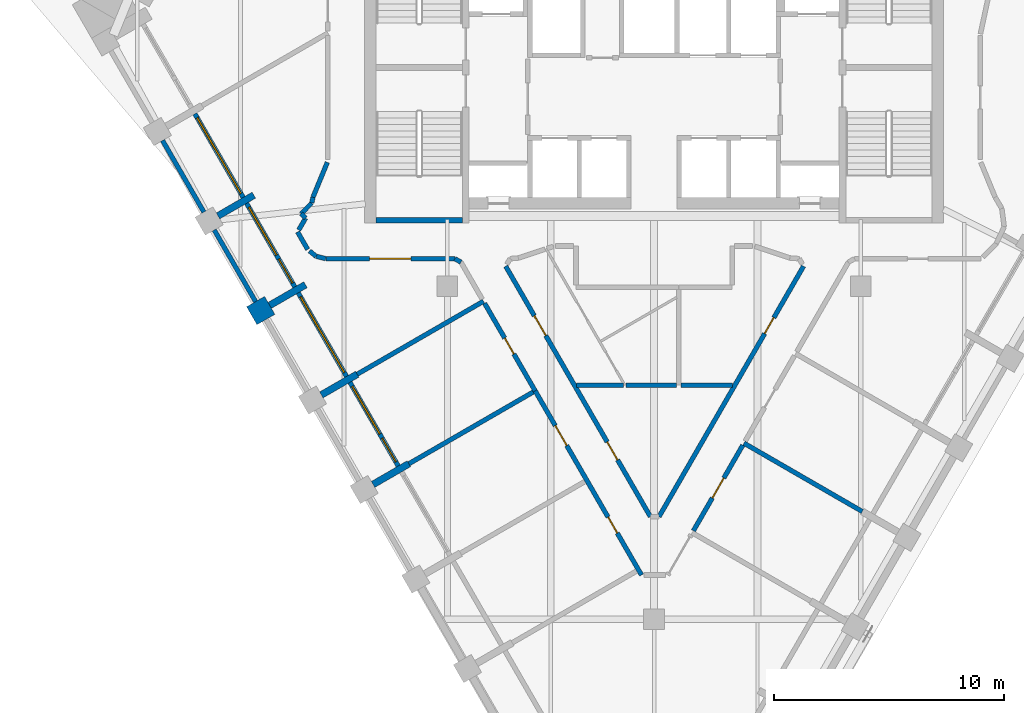
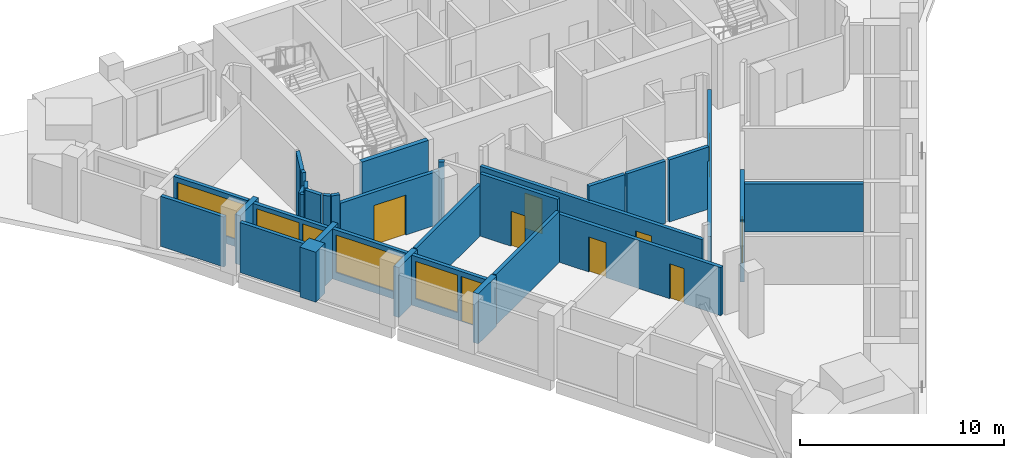
# One storey, part 3 of 9: 33 walls, 10 doors, 4 windows, 14 openings.
"""IFC4 building model written with IfcOpenShell, lengths in metres."""

from ifc_helpers import new_model, si_unit, direction, frame, frame_2d, origin, place, context, subcontext, project, spatial, rectangle, extrude, material, layer, layer_set, type_object, element, fill, save


model = new_model("IFC4")

# Units and contexts
model_context = context("Model", 3, precision=1e-05, world=origin(), true_north=direction((0.0, 1.0)))
body_context = subcontext(model_context, "Body", "Model", "MODEL_VIEW")
ifc_project = project(units=[si_unit("LENGTHUNIT", "METRE"), si_unit("AREAUNIT", "SQUARE_METRE"), si_unit("VOLUMEUNIT", "CUBIC_METRE"), si_unit("PLANEANGLEUNIT", "RADIAN"), si_unit("MASSUNIT", "GRAM", prefix="KILO")], contexts=[model_context])

# Site, building, storey
site_placement = place(None, origin())
site = spatial("IfcSite", under=ifc_project, at=site_placement, CompositionType="ELEMENT")
building_placement = place(site_placement, origin())
building = spatial("IfcBuilding", under=site, at=building_placement, Name="Calabash Gate Tower", CompositionType="ELEMENT")
storey_placement = place(building_placement, frame((0.0, 0.0, 248.199951171875)))
storey = spatial("IfcBuildingStorey", under=building, at=storey_placement, Name="L59", CompositionType="ELEMENT", Elevation=248.199951171875)

# Walls
ifc_material_1 = material(Name="Terracotta brick masonry, exposed face", Category="masonry")
ifc_layer_1 = layer(ifc_material_1, 0.89990234375)
ifc_layer_set_1 = layer_set([ifc_layer_1], Name="Brick end wall 900")
wall_type_1 = type_object("IfcWallType", Name="Brick end wall 900", PredefinedType="SOLIDWALL", material=ifc_layer_set_1)
wall_1_placement = place(storey_placement, frame((-17.512451171875, 1.2158203125, 0.0), z_axis=(0.0, 0.0, 1.0), x_axis=(0.865896406789, 0.500223362819, 0.0)))
element("IfcWall", 1, at=wall_1_placement, inside=storey, type_object=wall_type_1, Name="Brick pier S17 SW0.3", PredefinedType="SOLIDWALL", context=body_context, shape_type="SweptSolid", body=[
    extrude(rectangle(XDim=0.89990234375, YDim=0.89990234375, at=frame_2d((0.449951171875, 0.0))), origin(), (0.0, 0.0, 1.0), 3.0),
])
ifc_material_2 = material(Name="Terracotta brick masonry, exposed face", Category="masonry")
ifc_layer_2 = layer(ifc_material_2, 0.300048828125)
ifc_layer_set_2 = layer_set([ifc_layer_2], Name="Brick loggia cheek wall 300")
wall_type_2 = type_object("IfcWallType", Name="Brick loggia cheek wall 300", PredefinedType="SOLIDWALL", material=ifc_layer_set_2)
wall_2_placement = place(storey_placement, frame((-17.42431640625, 6.462890625, 0.0), z_axis=(0.0, 0.0, 1.0), x_axis=(-0.866047807691, -0.499961193289, 0.0)))
element("IfcWall", 2, at=wall_2_placement, inside=storey, type_object=wall_type_2, Name="Loggia cheek S17 SW0.2", PredefinedType="SOLIDWALL", context=body_context, shape_type="SweptSolid", body=[
    extrude(rectangle(XDim=1.800048828125, YDim=0.300048828125, at=frame_2d((0.89990234375, 0.0))), origin(), (0.0, 0.0, 1.0), 2.9501953125),
])
for number, where, z_axis, x_axis, name in (
    (3, (-15.17431640625, 2.56591796875, 0.0), (0.0, 0.0, 1.0), (-0.866047807691, -0.499961193289, 0.0), "Loggia cheek S17 SW0.3"),
    (4, (-14.483154296875, -2.231201171875, 0.0), (0.0, 0.0, 1.0), (0.866047807691, 0.499961193289, 0.0), "Loggia cheek S17 SW0.4"),
    (5, (-12.233154296875, -6.12841796875, 0.0), (0.0, 0.0, 1.0), (0.865989075817, 0.500062916607, 0.0), "Loggia cheek S17 SW0.5"),
):
    element("IfcWall", number, at=place(storey_placement, frame(where, z_axis=z_axis, x_axis=x_axis)), inside=storey, type_object=wall_type_2, Name=name, PredefinedType="SOLIDWALL", context=body_context, shape_type="SweptSolid", body=[
        extrude(rectangle(XDim=1.800048828125, YDim=0.300048828125, at=frame_2d((0.89990234375, 0.0))), origin(), (0.0, 0.0, 1.0), 3.0),
    ])
ifc_material_3 = material(Name="Concrete C60/75", Category="concrete")
ifc_layer_3 = layer(ifc_material_3, 0.25)
ifc_layer_set_3 = layer_set([ifc_layer_3], Name="Core wall 250 Concrete C60/75")
wall_type_3 = type_object("IfcWallType", Name="Core wall 250 Concrete C60/75", PredefinedType="SHEAR", material=ifc_layer_set_3)
wall_3_placement = place(storey_placement, frame((-12.10009765625, 5.377685546875, 0.0), z_axis=(0.0, 0.0, 1.0), x_axis=(1.0, 0.0, 0.0)))
element("IfcWall", 6, at=wall_3_placement, inside=storey, type_object=wall_type_3, Name="Core wall Z5-SSW L59", PredefinedType="SHEAR", context=body_context, shape_type="SweptSolid", body=[
    extrude(rectangle(XDim=3.75, YDim=0.25, at=frame_2d((1.875, 0.0))), origin(), (0.0, 0.0, 1.0), 3.900146484375),
])

# Wall, openings, doors
ifc_material_4 = material(Name="Gypsum board on steel studs, mineral wool", Category="steel")
ifc_layer_4 = layer(ifc_material_4, 0.199951171875)
ifc_layer_set_4 = layer_set([ifc_layer_4], Name="Partition 200 gypsum board EI 60")
wall_type_4 = type_object("IfcWallType", Name="Partition 200 gypsum board EI 60", PredefinedType="PARTITIONING", material=ifc_layer_set_4)
wall_4_placement = place(storey_placement, frame((-5.176513671875, -2.054443359375, 0.0), z_axis=(0.0, 0.0, 1.0), x_axis=(0.499987206771, -0.866032789833, 0.0)))
wall_4 = element("IfcWall", 7, at=wall_4_placement, inside=storey, type_object=wall_type_4, Name="Partition", PredefinedType="PARTITIONING", context=body_context, shape_type="SweptSolid", body=[
    extrude(rectangle(XDim=9.259521484375, YDim=0.199951171875, at=frame_2d((4.6298828125, 0.0))), origin(), (0.0, 0.0, 1.0), 2.884033203125),
])
opening_1_placement = place(wall_4_placement, frame((1.75, 0.0, 0.0)))
opening_1 = element("IfcOpeningElement", 8, at=opening_1_placement, cuts=wall_4, Name="Opening 59-61-002", PredefinedType="OPENING", context=body_context, shape_type="SweptSolid", body=[
    extrude(rectangle(XDim=1.0, YDim=2.10009765625, at=frame_2d((0.5, 1.050048828125))), frame((0.0, 0.10986328125, 0.0), z_axis=(0.0, -1.0, 0.0), x_axis=(1.0, 0.0, 0.0)), (0.0, 0.0, 1.0), 0.219970703125),
])
opening_2_placement = place(wall_4_placement, frame((6.349853515625, 0.0, 0.0)))
opening_2 = element("IfcOpeningElement", 9, at=opening_2_placement, cuts=wall_4, Name="Opening 59-61-003", PredefinedType="OPENING", context=body_context, shape_type="SweptSolid", body=[
    extrude(rectangle(XDim=0.800048828125, YDim=2.10009765625, at=frame_2d((0.39990234375, 1.050048828125))), frame((0.0, 0.10986328125, 0.0), z_axis=(0.0, -1.0, 0.0), x_axis=(1.0, 0.0, 0.0)), (0.0, 0.0, 1.0), 0.219970703125),
])
ifc_material_5 = material(Name="Steel fire door set with fire-resisting glazing", Category="steel")
door_type_1 = type_object("IfcDoorType", Name="LD2 Meeting room door 1000x2100", OperationType="NOTDEFINED", PredefinedType="DOOR", material=ifc_material_5)
door_1_placement = place(opening_1_placement, origin())
door_1 = element("IfcDoor", 10, at=door_1_placement, inside=storey, type_object=door_type_1, Name="Meeting room door", OperationType="SINGLE_SWING_LEFT", OverallHeight=2.10009765625, OverallWidth=1.0, PredefinedType="DOOR", context=body_context, shape_type="SweptSolid", body=[
    extrude(rectangle(XDim=1.0, YDim=2.10009765625, at=frame_2d((0.5, 1.050048828125))), frame((0.0, 0.02490234375, 0.0), z_axis=(0.0, -1.0, 0.0), x_axis=(1.0, 0.0, 0.0)), (0.0, 0.0, 1.0), 0.050048828125),
])
fill(opening_1, door_1)
ifc_material_6 = material(Name="Painted timber door", Category="wood")
door_type_2 = type_object("IfcDoorType", Name="OD4 Phone booth door 800x2100", OperationType="NOTDEFINED", PredefinedType="DOOR", material=ifc_material_6)
door_2_placement = place(opening_2_placement, origin())
door_2 = element("IfcDoor", 11, at=door_2_placement, inside=storey, type_object=door_type_2, Name="Phone booth door", OperationType="SINGLE_SWING_LEFT", OverallHeight=2.10009765625, OverallWidth=0.800048828125, PredefinedType="DOOR", context=body_context, shape_type="SweptSolid", body=[
    extrude(rectangle(XDim=0.800048828125, YDim=2.10009765625, at=frame_2d((0.39990234375, 1.050048828125))), frame((0.0, 0.02490234375, 0.0), z_axis=(0.0, -1.0, 0.0), x_axis=(1.0, 0.0, 0.0)), (0.0, 0.0, 1.0), 0.050048828125),
])
fill(opening_2, door_2)

# Wall, opening, door
wall_5_placement = place(storey_placement, frame((0.216552734375, -7.531982421875, 0.0), z_axis=(0.0, 0.0, 1.0), x_axis=(0.499766665369, 0.866160077691, 0.0)))
wall_5 = element("IfcWall", 12, at=wall_5_placement, inside=storey, type_object=wall_type_4, Name="Partition", PredefinedType="PARTITIONING", context=body_context, shape_type="SweptSolid", body=[
    extrude(rectangle(XDim=12.58837890625, YDim=0.199951171875, at=frame_2d((6.294189453125, 0.0))), origin(), (0.0, 0.0, 1.0), 2.884033203125),
])
opening_3_placement = place(wall_5_placement, frame((9.20068359375, 0.0, 0.0)))
opening_3 = element("IfcOpeningElement", 13, at=opening_3_placement, cuts=wall_5, Name="Opening 59-61-006", PredefinedType="OPENING", context=body_context, shape_type="SweptSolid", body=[
    extrude(rectangle(XDim=0.800048828125, YDim=2.10009765625, at=frame_2d((0.39990234375, 1.050048828125))), frame((0.0, 0.10986328125, 0.0), z_axis=(0.0, -1.0, 0.0), x_axis=(1.0, 0.0, 0.0)), (0.0, 0.0, 1.0), 0.219970703125),
])
ifc_material_7 = material(Name="Steel fire door set with fire-resisting glazing", Category="steel")
door_type_3 = type_object("IfcDoorType", Name="SD2 Riser access door 800x2100", OperationType="NOTDEFINED", PredefinedType="DOOR", material=ifc_material_7)
door_3_placement = place(opening_3_placement, origin())
door_3 = element("IfcDoor", 14, at=door_3_placement, inside=storey, type_object=door_type_3, Name="Riser access door", OperationType="SINGLE_SWING_RIGHT", OverallHeight=2.10009765625, OverallWidth=0.800048828125, PredefinedType="DOOR", context=body_context, shape_type="SweptSolid", body=[
    extrude(rectangle(XDim=0.800048828125, YDim=2.10009765625, at=frame_2d((0.39990234375, 1.050048828125))), frame((0.0, 0.02490234375, 0.0), z_axis=(0.0, -1.0, 0.0), x_axis=(1.0, 0.0, 0.0)), (0.0, 0.0, 1.0), 0.050048828125),
])
fill(opening_3, door_3)

wall_6_placement = place(storey_placement, frame((1.71337890625, -8.143798828125, 0.0), z_axis=(0.0, 0.0, 1.0), x_axis=(0.499986217557, 0.866033360935, 0.0)))
wall_6 = element("IfcWall", 15, at=wall_6_placement, inside=storey, type_object=wall_type_4, Name="Partition", PredefinedType="PARTITIONING", context=body_context, shape_type="SweptSolid", body=[
    extrude(rectangle(XDim=4.2998046875, YDim=0.199951171875, at=frame_2d((2.14990234375, 0.0))), origin(), (0.0, 0.0, 1.0), 3.72998046875),
])
opening_4_placement = place(wall_6_placement, frame((1.64990234375, 0.0, 0.0)))
opening_4 = element("IfcOpeningElement", 16, at=opening_4_placement, cuts=wall_6, Name="Opening 59-61-004", PredefinedType="OPENING", context=body_context, shape_type="SweptSolid", body=[
    extrude(rectangle(XDim=1.0, YDim=2.10009765625, at=frame_2d((0.5, 1.050048828125))), frame((0.0, 0.10986328125, 0.0), z_axis=(0.0, -1.0, 0.0), x_axis=(1.0, 0.0, 0.0)), (0.0, 0.0, 1.0), 0.219970703125),
])
door_4_placement = place(opening_4_placement, origin())
door_4 = element("IfcDoor", 17, at=door_4_placement, inside=storey, type_object=door_type_1, Name="Meeting room door", OperationType="SINGLE_SWING_LEFT", OverallHeight=2.10009765625, OverallWidth=1.0, PredefinedType="DOOR", context=body_context, shape_type="SweptSolid", body=[
    extrude(rectangle(XDim=1.0, YDim=2.10009765625, at=frame_2d((0.5, 1.050048828125))), frame((0.0, 0.02490234375, 0.0), z_axis=(0.0, -1.0, 0.0), x_axis=(1.0, 0.0, 0.0)), (0.0, 0.0, 1.0), 0.050048828125),
])
fill(opening_4, door_4)

# Walls
wall_7_placement = place(storey_placement, frame((3.914306640625, -4.331787109375, 0.0), z_axis=(0.0, 0.0, 1.0), x_axis=(0.865897075154, -0.500222205864, 0.0)))
element("IfcWall", 18, at=wall_7_placement, inside=storey, type_object=wall_type_4, Name="Partition", PredefinedType="PARTITIONING", context=body_context, shape_type="SweptSolid", body=[
    extrude(rectangle(XDim=5.947998046875, YDim=0.199951171875, at=frame_2d((2.97412109375, 0.0))), origin(), (0.0, 0.0, 1.0), 2.884033203125),
])
wall_8_placement = place(storey_placement, frame((-10.67431640625, -5.228515625, 0.0), z_axis=(0.0, 0.0, 1.0), x_axis=(0.866163474566, 0.4997607781, 0.0)))
element("IfcWall", 19, at=wall_8_placement, inside=storey, type_object=wall_type_4, Name="Partition", PredefinedType="PARTITIONING", context=body_context, shape_type="SweptSolid", body=[
    extrude(rectangle(XDim=6.25, YDim=0.199951171875, at=frame_2d((3.125, 0.0))), origin(), (0.0, 0.0, 1.0), 3.052001953125),
])

# Wall, opening, door
wall_9_placement = place(storey_placement, frame((-7.376708984375, 1.756103515625, 0.0), z_axis=(0.0, 0.0, 1.0), x_axis=(0.50001224981, -0.866018331238, 0.0)))
wall_9 = element("IfcWall", 20, at=wall_9_placement, inside=storey, type_object=wall_type_4, Name="Partition", PredefinedType="PARTITIONING", context=body_context, shape_type="SweptSolid", body=[
    extrude(rectangle(XDim=4.39990234375, YDim=0.199951171875, at=frame_2d((2.199951171875, 0.0))), origin(), (0.0, 0.0, 1.0), 3.72998046875),
])
opening_5_placement = place(wall_9_placement, frame((1.75, 0.0, 0.0)))
opening_5 = element("IfcOpeningElement", 21, at=opening_5_placement, cuts=wall_9, Name="Opening 59-61-001", PredefinedType="OPENING", context=body_context, shape_type="SweptSolid", body=[
    extrude(rectangle(XDim=0.800048828125, YDim=2.10009765625, at=frame_2d((0.39990234375, 1.050048828125))), frame((0.0, 0.10986328125, 0.0), z_axis=(0.0, -1.0, 0.0), x_axis=(1.0, 0.0, 0.0)), (0.0, 0.0, 1.0), 0.219970703125),
])
door_5_placement = place(opening_5_placement, origin())
door_5 = element("IfcDoor", 22, at=door_5_placement, inside=storey, type_object=door_type_3, Name="Riser access door", OperationType="SINGLE_SWING_RIGHT", OverallHeight=2.10009765625, OverallWidth=0.800048828125, PredefinedType="DOOR", context=body_context, shape_type="SweptSolid", body=[
    extrude(rectangle(XDim=0.800048828125, YDim=2.10009765625, at=frame_2d((0.39990234375, 1.050048828125))), frame((0.0, 0.02490234375, 0.0), z_axis=(0.0, -1.0, 0.0), x_axis=(1.0, 0.0, 0.0)), (0.0, 0.0, 1.0), 0.050048828125),
])
fill(opening_5, door_5)

# Walls
wall_10_placement = place(storey_placement, frame((1.17626953125, -1.804931640625, 0.0), z_axis=(0.0, 0.0, 1.0), x_axis=(0.999999709909, -0.000761697276, 0.0)))
element("IfcWall", 23, at=wall_10_placement, inside=storey, type_object=wall_type_4, Name="Partition", PredefinedType="PARTITIONING", context=body_context, shape_type="SweptSolid", body=[
    extrude(rectangle(XDim=2.24365234375, YDim=0.199951171875, at=frame_2d((1.121826171875, 0.0))), origin(), (0.0, 0.0, 1.0), 3.72998046875),
])
wall_11_placement = place(storey_placement, frame((-3.36962890625, -1.80322265625, 0.0), z_axis=(0.0, 0.0, 1.0), x_axis=(0.999999992849, 0.000119588614, 0.0)))
element("IfcWall", 24, at=wall_11_placement, inside=storey, type_object=wall_type_4, Name="Partition", PredefinedType="PARTITIONING", context=body_context, shape_type="SweptSolid", body=[
    extrude(rectangle(XDim=2.04150390625, YDim=0.199951171875, at=frame_2d((1.020751953125, 0.0))), origin(), (0.0, 0.0, 1.0), 3.72998046875),
])
wall_12_placement = place(storey_placement, frame((-1.226806640625, -1.8046875, 0.0), z_axis=(0.0, 0.0, 1.0), x_axis=(0.999999698604, 0.000776397282, 0.0)))
element("IfcWall", 25, at=wall_12_placement, inside=storey, type_object=wall_type_4, Name="Partition", PredefinedType="PARTITIONING", context=body_context, shape_type="SweptSolid", body=[
    extrude(rectangle(XDim=2.201171875, YDim=0.199951171875, at=frame_2d((1.1005859375, 0.0))), origin(), (0.0, 0.0, 1.0), 3.72998046875),
])
wall_13_placement = place(storey_placement, frame((-12.924560546875, -1.330810546875, 0.0), z_axis=(0.0, 0.0, 1.0), x_axis=(0.865907634831, 0.500203926355, 0.0)))
element("IfcWall", 26, at=wall_13_placement, inside=storey, type_object=wall_type_4, Name="Partition", PredefinedType="PARTITIONING", context=body_context, shape_type="SweptSolid", body=[
    extrude(rectangle(XDim=6.349365234375, YDim=0.199951171875, at=frame_2d((3.1748046875, 0.0))), origin(), (0.0, 0.0, 1.0), 3.052001953125),
])

# Wall, openings, doors
wall_14_placement = place(storey_placement, frame((-6.45849609375, 3.3701171875, 0.0), z_axis=(0.0, 0.0, 1.0), x_axis=(0.500262411632, -0.86587384734, 0.0)))
wall_14 = element("IfcWall", 27, at=wall_14_placement, inside=storey, type_object=wall_type_4, Name="Partition", PredefinedType="PARTITIONING", context=body_context, shape_type="SweptSolid", body=[
    extrude(rectangle(XDim=12.588623046875, YDim=0.199951171875, at=frame_2d((6.29443359375, 0.0))), origin(), (0.0, 0.0, 1.0), 2.884033203125),
])
opening_6_placement = place(wall_14_placement, frame((8.83203125, 0.0, 0.0)))
opening_6 = element("IfcOpeningElement", 28, at=opening_6_placement, cuts=wall_14, Name="Opening 59-61-007", PredefinedType="OPENING", context=body_context, shape_type="SweptSolid", body=[
    extrude(rectangle(XDim=0.89990234375, YDim=2.10009765625, at=frame_2d((0.449951171875, 1.050048828125))), frame((0.0, 0.10986328125, 0.0), z_axis=(0.0, -1.0, 0.0), x_axis=(1.0, 0.0, 0.0)), (0.0, 0.0, 1.0), 0.219970703125),
])
opening_7_placement = place(wall_14_placement, frame((2.48779296875, 0.0, 0.0)))
opening_7 = element("IfcOpeningElement", 29, at=opening_7_placement, cuts=wall_14, Name="Opening 59-61-013", PredefinedType="OPENING", context=body_context, shape_type="SweptSolid", body=[
    extrude(rectangle(XDim=1.0, YDim=2.10009765625, at=frame_2d((0.5, 1.050048828125))), frame((0.0, 0.10986328125, 0.0), z_axis=(0.0, -1.0, 0.0), x_axis=(1.0, 0.0, 0.0)), (0.0, 0.0, 1.0), 0.219970703125),
])
ifc_material_8 = material(Name="Steel fire door set with fire-resisting glazing", Category="steel")
door_type_4 = type_object("IfcDoorType", Name="SD3 Store door 900x2100", OperationType="NOTDEFINED", PredefinedType="DOOR", material=ifc_material_8)
door_6_placement = place(opening_6_placement, origin())
door_6 = element("IfcDoor", 30, at=door_6_placement, inside=storey, type_object=door_type_4, Name="Store door", OperationType="SINGLE_SWING_RIGHT", OverallHeight=2.10009765625, OverallWidth=0.89990234375, PredefinedType="DOOR", context=body_context, shape_type="SweptSolid", body=[
    extrude(rectangle(XDim=0.89990234375, YDim=2.10009765625, at=frame_2d((0.449951171875, 1.050048828125))), frame((0.0, 0.02490234375, 0.0), z_axis=(0.0, -1.0, 0.0), x_axis=(1.0, 0.0, 0.0)), (0.0, 0.0, 1.0), 0.050048828125),
])
fill(opening_6, door_6)
ifc_material_9 = material(Name="Steel fire door set with fire-resisting glazing", Category="steel")
door_type_5 = type_object("IfcDoorType", Name="WD3 WC lobby door 1000x2100", OperationType="NOTDEFINED", PredefinedType="DOOR", material=ifc_material_9)
door_7_placement = place(opening_7_placement, origin())
door_7 = element("IfcDoor", 31, at=door_7_placement, inside=storey, type_object=door_type_5, Name="WC lobby door", OperationType="SINGLE_SWING_LEFT", OverallHeight=2.10009765625, OverallWidth=1.0, PredefinedType="DOOR", context=body_context, shape_type="SweptSolid", body=[
    extrude(rectangle(XDim=1.0, YDim=2.10009765625, at=frame_2d((0.5, 1.050048828125))), frame((0.0, 0.02490234375, 0.0), z_axis=(0.0, -1.0, 0.0), x_axis=(1.0, 0.0, 0.0)), (0.0, 0.0, 1.0), 0.050048828125),
])
fill(opening_7, door_7)

# Walls
wall_15_placement = place(storey_placement, frame((-8.673583984375, 3.699462890625, 0.0), z_axis=(0.0, 0.0, 1.0), x_axis=(0.865826662844, -0.500344071524, 0.0)))
element("IfcWall", 32, at=wall_15_placement, inside=storey, type_object=wall_type_4, Name="Partition", PredefinedType="PARTITIONING", context=body_context, shape_type="SweptSolid", body=[
    extrude(rectangle(XDim=0.305908203125, YDim=0.199951171875, at=frame_2d((0.15283203125, 0.0))), origin(), (0.0, 0.0, 1.0), 3.72998046875),
])
wall_16_placement = place(storey_placement, frame((-14.716796875, 3.80517578125, 0.0), z_axis=(0.0, 0.0, 1.0), x_axis=(0.970273866593, -0.242009553131, 0.0)))
element("IfcWall", 33, at=wall_16_placement, inside=storey, type_object=wall_type_4, Name="Partition", PredefinedType="PARTITIONING", context=body_context, shape_type="SweptSolid", body=[
    extrude(rectangle(XDim=0.436767578125, YDim=0.199951171875, at=frame_2d((0.21826171875, 0.0))), origin(), (0.0, 0.0, 1.0), 3.72998046875),
])

# Wall, opening, door
wall_17_placement = place(storey_placement, frame((-14.29296875, 3.699462890625, 0.0), z_axis=(0.0, 0.0, 1.0), x_axis=(1.0, 0.0, 0.0)))
wall_17 = element("IfcWall", 34, at=wall_17_placement, inside=storey, type_object=wall_type_4, Name="Partition", PredefinedType="PARTITIONING", context=body_context, shape_type="SweptSolid", body=[
    extrude(rectangle(XDim=5.619384765625, YDim=0.199951171875, at=frame_2d((2.8095703125, 0.0))), origin(), (0.0, 0.0, 1.0), 3.201904296875),
])
opening_8_placement = place(wall_17_placement, frame((1.90966796875, 0.0, 0.0)))
opening_8 = element("IfcOpeningElement", 35, at=opening_8_placement, cuts=wall_17, Name="Opening 59-61-008", PredefinedType="OPENING", context=body_context, shape_type="SweptSolid", body=[
    extrude(rectangle(XDim=1.800048828125, YDim=2.39990234375, at=frame_2d((0.89990234375, 1.199951171875))), frame((0.0, 0.10986328125, 0.0), z_axis=(0.0, -1.0, 0.0), x_axis=(1.0, 0.0, 0.0)), (0.0, 0.0, 1.0), 0.219970703125),
])
ifc_material_10 = material(Name="Steel fire door set with fire-resisting glazing", Category="steel")
door_type_6 = type_object("IfcDoorType", Name="OD5 Open office double door 1800x2400", OperationType="NOTDEFINED", PredefinedType="DOOR", material=ifc_material_10)
door_8_placement = place(opening_8_placement, origin())
door_8 = element("IfcDoor", 36, at=door_8_placement, inside=storey, type_object=door_type_6, Name="Open office double door", OperationType="DOUBLE_DOOR_SINGLE_SWING", OverallHeight=2.39990234375, OverallWidth=1.800048828125, PredefinedType="DOOR", context=body_context, shape_type="SweptSolid", body=[
    extrude(rectangle(XDim=1.800048828125, YDim=2.39990234375, at=frame_2d((0.89990234375, 1.199951171875))), frame((0.0, 0.02490234375, 0.0), z_axis=(0.0, -1.0, 0.0), x_axis=(1.0, 0.0, 0.0)), (0.0, 0.0, 1.0), 0.050048828125),
])
fill(opening_8, door_8)

# Walls
wall_18_placement = place(storey_placement, frame((-15.002197265625, 4.0380859375, 0.0), z_axis=(0.0, 0.0, 1.0), x_axis=(0.774753953522, -0.632262850009, 0.0)))
element("IfcWall", 37, at=wall_18_placement, inside=storey, type_object=wall_type_4, Name="Partition", PredefinedType="PARTITIONING", context=body_context, shape_type="SweptSolid", body=[
    extrude(rectangle(XDim=0.368408203125, YDim=0.199951171875, at=frame_2d((0.18408203125, 0.0))), origin(), (0.0, 0.0, 1.0), 3.72998046875),
])
wall_19_placement = place(storey_placement, frame((-15.519287109375, 4.862548828125, 0.0), z_axis=(0.0, 0.0, 1.0), x_axis=(0.499962889934, -0.866046828231, 0.0)))
element("IfcWall", 38, at=wall_19_placement, inside=storey, type_object=wall_type_4, Name="Partition", PredefinedType="PARTITIONING", context=body_context, shape_type="SweptSolid", body=[
    extrude(rectangle(XDim=0.87890625, YDim=0.199951171875, at=frame_2d((0.439453125, 0.0))), origin(), (0.0, 0.0, 1.0), 3.72998046875),
])
wall_20_placement = place(storey_placement, frame((-15.46923828125, 4.94921875, 0.0), z_axis=(0.0, 0.0, 1.0), x_axis=(0.499805408949, 0.866137721835, 0.0)))
element("IfcWall", 39, at=wall_20_placement, inside=storey, type_object=wall_type_4, Name="Partition", PredefinedType="PARTITIONING", context=body_context, shape_type="SweptSolid", body=[
    extrude(rectangle(XDim=0.594482421875, YDim=0.199951171875, at=frame_2d((0.29736328125, 0.0))), origin(), (0.0, 0.0, 1.0), 3.72998046875),
])
wall_21_placement = place(storey_placement, frame((-15.3671875, 5.6591796875, 0.0), z_axis=(0.0, 0.0, 1.0), x_axis=(0.707106781187, -0.707106781187, 0.0)))
element("IfcWall", 40, at=wall_21_placement, inside=storey, type_object=wall_type_4, Name="Partition", PredefinedType="PARTITIONING", context=body_context, shape_type="SweptSolid", body=[
    extrude(rectangle(XDim=0.27587890625, YDim=0.199951171875, at=frame_2d((0.137939453125, 0.0))), origin(), (0.0, 0.0, 1.0), 2.9501953125),
])
wall_22_placement = place(storey_placement, frame((-15.3671875, 5.6591796875, 0.0), z_axis=(0.0, 0.0, 1.0), x_axis=(0.706922278448, 0.707291235796, 0.0)))
element("IfcWall", 41, at=wall_22_placement, inside=storey, type_object=wall_type_4, Name="Partition", PredefinedType="PARTITIONING", context=body_context, shape_type="SweptSolid", body=[
    extrude(rectangle(XDim=0.66162109375, YDim=0.199951171875, at=frame_2d((0.330810546875, 0.0))), origin(), (0.0, 0.0, 1.0), 2.9501953125),
])
wall_23_placement = place(storey_placement, frame((-14.8994140625, 6.127197265625, 0.0), z_axis=(0.0, 0.0, 1.0), x_axis=(0.194433250977, 0.980915751181, 0.0)))
element("IfcWall", 42, at=wall_23_placement, inside=storey, type_object=wall_type_4, Name="Partition", PredefinedType="PARTITIONING", context=body_context, shape_type="SweptSolid", body=[
    extrude(rectangle(XDim=0.251220703125, YDim=0.199951171875, at=frame_2d((0.12548828125, 0.0))), origin(), (0.0, 0.0, 1.0), 3.72998046875),
])
wall_24_placement = place(storey_placement, frame((-14.8505859375, 6.37353515625, 0.0), z_axis=(0.0, 0.0, 1.0), x_axis=(0.380697489052, 0.924699638709, 0.0)))
element("IfcWall", 43, at=wall_24_placement, inside=storey, type_object=wall_type_4, Name="Partition", PredefinedType="PARTITIONING", context=body_context, shape_type="SweptSolid", body=[
    extrude(rectangle(XDim=1.64306640625, YDim=0.199951171875, at=frame_2d((0.821533203125, 0.0))), origin(), (0.0, 0.0, 1.0), 3.72998046875),
])
ifc_material_11 = material(Name="Terracotta brick masonry, perforated", Category="masonry")
ifc_layer_5 = layer(ifc_material_11, 0.199951171875)
ifc_layer_set_5 = layer_set([ifc_layer_5], Name="Terracotta jaali screen A")
wall_type_5 = type_object("IfcWallType", Name="Terracotta jaali screen A", PredefinedType="SOLIDWALL", material=ifc_layer_set_5)
for number, where, z_axis, x_axis, name in (
    (44, (-21.39794921875, 8.845458984375, 0.0), (0.0, 0.0, 1.0), (0.500012057535, -0.866018442252, 0.0), "SCREEN A S17 SW0.2"),
    (45, (-19.14794921875, 4.9482421875, 0.0), (0.0, 0.0, 1.0), (0.500012057535, -0.866018442252, 0.0), "SCREEN A S17 SW0.3"),
):
    element("IfcWall", number, at=place(storey_placement, frame(where, z_axis=z_axis, x_axis=x_axis)), inside=storey, type_object=wall_type_5, Name=name, PredefinedType="SOLIDWALL", context=body_context, shape_type="SweptSolid", body=[
        extrude(rectangle(XDim=3.60009765625, YDim=0.199951171875, at=frame_2d((1.800048828125, 0.0))), origin(), (0.0, 0.0, 1.0), 3.0),
    ])

# Wall, opening, window
ifc_material_12 = material(Name="Aluminium framed window wall with insulated spandrel", Category="aluminium")
ifc_layer_6 = layer(ifc_material_12, 0.199951171875)
ifc_layer_set_6 = layer_set([ifc_layer_6], Name="Window wall 200")
wall_type_6 = type_object("IfcWallType", Name="Window wall 200", PredefinedType="ELEMENTEDWALL", material=ifc_layer_set_6)
wall_25_placement = place(storey_placement, frame((-19.989013671875, 10.005126953125, 0.0), z_axis=(0.0, 0.0, 1.0), x_axis=(0.500027713859, -0.866009402589, 0.0)))
wall_25 = element("IfcWall", 46, at=wall_25_placement, inside=storey, type_object=wall_type_6, Name="Window wall S17 SW0.2", PredefinedType="ELEMENTEDWALL", context=body_context, shape_type="SweptSolid", body=[
    extrude(rectangle(XDim=4.199951171875, YDim=0.199951171875, at=frame_2d((2.10009765625, 0.0))), origin(), (0.0, 0.0, 1.0), 3.0),
])
opening_9_placement = place(wall_25_placement, frame((0.199951171875, 0.0, 0.449951171875)))
opening_9 = element("IfcOpeningElement", 47, at=opening_9_placement, cuts=wall_25, Name="Opening OW2", PredefinedType="OPENING", context=body_context, shape_type="SweptSolid", body=[
    extrude(rectangle(XDim=3.800048828125, YDim=2.25, at=frame_2d((1.89990234375, 1.125))), frame((0.0, 0.10986328125, 0.0), z_axis=(0.0, -1.0, 0.0), x_axis=(1.0, 0.0, 0.0)), (0.0, 0.0, 1.0), 0.219970703125),
])
ifc_material_13 = material(Name="Anodised aluminium frame, bronze finish, impact-rated laminated clear glazing", Category="aluminium")
window_type_1 = type_object("IfcWindowType", Name="Window OW2 3800x2250", PartitioningType="TRIPLE_PANEL_VERTICAL", PredefinedType="WINDOW", material=ifc_material_13)
window_1_placement = place(opening_9_placement, origin())
window_1 = element("IfcWindow", 48, at=window_1_placement, inside=storey, type_object=window_type_1, Name="Window OW2 S17 SW0.2", OverallHeight=2.25, OverallWidth=3.800048828125, PartitioningType="SINGLE_PANEL", PredefinedType="WINDOW", context=body_context, shape_type="SweptSolid", body=[
    extrude(rectangle(XDim=3.800048828125, YDim=2.25, at=frame_2d((1.89990234375, 1.125))), frame((0.0, 0.030029296875, 0.0), z_axis=(0.0, -1.0, 0.0), x_axis=(1.0, 0.0, 0.0)), (0.0, 0.0, 1.0), 0.06005859375),
])
fill(opening_9, window_1)

# Wall, openings, door, window
wall_26_placement = place(storey_placement, frame((-17.739013671875, 6.108154296875, 0.0), z_axis=(0.0, 0.0, 1.0), x_axis=(0.500002543286, -0.866023935413, 0.0)))
wall_26 = element("IfcWall", 49, at=wall_26_placement, inside=storey, type_object=wall_type_6, Name="Window wall S17 SW0.3", PredefinedType="ELEMENTEDWALL", context=body_context, shape_type="SweptSolid", body=[
    extrude(rectangle(XDim=4.2001953125, YDim=0.199951171875, at=frame_2d((2.10009765625, 0.0))), origin(), (0.0, 0.0, 1.0), 2.9501953125),
])
opening_10_placement = place(wall_26_placement, frame((0.199951171875, 0.0, 0.449951171875)))
opening_10 = element("IfcOpeningElement", 50, at=opening_10_placement, cuts=wall_26, Name="Opening OW1", PredefinedType="OPENING", context=body_context, shape_type="SweptSolid", body=[
    extrude(rectangle(XDim=2.39990234375, YDim=2.25, at=frame_2d((1.199951171875, 1.125))), frame((0.0, 0.10986328125, 0.0), z_axis=(0.0, -1.0, 0.0), x_axis=(1.0, 0.0, 0.0)), (0.0, 0.0, 1.0), 0.219970703125),
])
opening_11_placement = place(wall_26_placement, frame((2.800048828125, 0.0, 0.0)))
opening_11 = element("IfcOpeningElement", 51, at=opening_11_placement, cuts=wall_26, Name="Opening O9-018", PredefinedType="OPENING", context=body_context, shape_type="SweptSolid", body=[
    extrude(rectangle(XDim=1.199951171875, YDim=2.699951171875, at=frame_2d((0.60009765625, 1.35009765625))), frame((0.0, 0.10986328125, 0.0), z_axis=(0.0, -1.0, 0.0), x_axis=(1.0, 0.0, 0.0)), (0.0, 0.0, 1.0), 0.219970703125),
])
ifc_material_14 = material(Name="Anodised aluminium frame, bronze finish, impact-rated laminated clear glazing", Category="aluminium")
door_type_7 = type_object("IfcDoorType", Name="Loggia door DO1 1200x2700", OperationType="SLIDING_TO_LEFT", PredefinedType="DOOR", material=ifc_material_14)
door_9_placement = place(opening_11_placement, origin())
door_9 = element("IfcDoor", 52, at=door_9_placement, inside=storey, type_object=door_type_7, Name="Loggia door S17 SW0.3", OperationType="SINGLE_SWING_LEFT", OverallHeight=2.699951171875, OverallWidth=1.199951171875, PredefinedType="DOOR", context=body_context, shape_type="SweptSolid", body=[
    extrude(rectangle(XDim=1.199951171875, YDim=2.699951171875, at=frame_2d((0.60009765625, 1.35009765625))), frame((0.0, 0.02490234375, 0.0), z_axis=(0.0, -1.0, 0.0), x_axis=(1.0, 0.0, 0.0)), (0.0, 0.0, 1.0), 0.050048828125),
])
fill(opening_11, door_9)
ifc_material_15 = material(Name="Anodised aluminium frame, bronze finish, impact-rated laminated clear glazing", Category="aluminium")
window_type_2 = type_object("IfcWindowType", Name="Window OW1 2400x2250", PartitioningType="DOUBLE_PANEL_VERTICAL", PredefinedType="WINDOW", material=ifc_material_15)
window_2_placement = place(opening_10_placement, origin())
window_2 = element("IfcWindow", 53, at=window_2_placement, inside=storey, type_object=window_type_2, Name="Window OW1 S17 SW0.3", OverallHeight=2.25, OverallWidth=2.39990234375, PartitioningType="SINGLE_PANEL", PredefinedType="WINDOW", context=body_context, shape_type="SweptSolid", body=[
    extrude(rectangle(XDim=2.39990234375, YDim=2.25, at=frame_2d((1.199951171875, 1.125))), frame((0.0, 0.030029296875, 0.0), z_axis=(0.0, -1.0, 0.0), x_axis=(1.0, 0.0, 0.0)), (0.0, 0.0, 1.0), 0.06005859375),
])
fill(opening_10, window_2)

# Wall, opening, window
wall_27_placement = place(storey_placement, frame((-15.489013671875, 2.2109375, 0.0), z_axis=(0.0, 0.0, 1.0), x_axis=(0.500027713859, -0.866009402589, 0.0)))
wall_27 = element("IfcWall", 54, at=wall_27_placement, inside=storey, type_object=wall_type_6, Name="Window wall S17 SW0.4", PredefinedType="ELEMENTEDWALL", context=body_context, shape_type="SweptSolid", body=[
    extrude(rectangle(XDim=4.199951171875, YDim=0.199951171875, at=frame_2d((2.10009765625, 0.0))), origin(), (0.0, 0.0, 1.0), 3.0),
])
opening_12_placement = place(wall_27_placement, frame((0.199951171875, 0.0, 0.449951171875)))
opening_12 = element("IfcOpeningElement", 55, at=opening_12_placement, cuts=wall_27, Name="Opening OW2", PredefinedType="OPENING", context=body_context, shape_type="SweptSolid", body=[
    extrude(rectangle(XDim=3.800048828125, YDim=2.25, at=frame_2d((1.89990234375, 1.125))), frame((0.0, 0.10986328125, 0.0), z_axis=(0.0, -1.0, 0.0), x_axis=(1.0, 0.0, 0.0)), (0.0, 0.0, 1.0), 0.219970703125),
])
window_3_placement = place(opening_12_placement, origin())
window_3 = element("IfcWindow", 56, at=window_3_placement, inside=storey, type_object=window_type_1, Name="Window OW2 S17 SW0.4", OverallHeight=2.25, OverallWidth=3.800048828125, PartitioningType="SINGLE_PANEL", PredefinedType="WINDOW", context=body_context, shape_type="SweptSolid", body=[
    extrude(rectangle(XDim=3.800048828125, YDim=2.25, at=frame_2d((1.89990234375, 1.125))), frame((0.0, 0.030029296875, 0.0), z_axis=(0.0, -1.0, 0.0), x_axis=(1.0, 0.0, 0.0)), (0.0, 0.0, 1.0), 0.06005859375),
])
fill(opening_12, window_3)

# Wall, openings, door, window
wall_28_placement = place(storey_placement, frame((-13.239013671875, -1.68603515625, 0.0), z_axis=(0.0, 0.0, 1.0), x_axis=(0.500002543286, -0.866023935413, 0.0)))
wall_28 = element("IfcWall", 57, at=wall_28_placement, inside=storey, type_object=wall_type_6, Name="Window wall S17 SW0.5", PredefinedType="ELEMENTEDWALL", context=body_context, shape_type="SweptSolid", body=[
    extrude(rectangle(XDim=4.2001953125, YDim=0.199951171875, at=frame_2d((2.10009765625, 0.0))), origin(), (0.0, 0.0, 1.0), 3.0),
])
opening_13_placement = place(wall_28_placement, frame((0.199951171875, 0.0, 0.449951171875)))
opening_13 = element("IfcOpeningElement", 58, at=opening_13_placement, cuts=wall_28, Name="Opening OW1", PredefinedType="OPENING", context=body_context, shape_type="SweptSolid", body=[
    extrude(rectangle(XDim=2.39990234375, YDim=2.25, at=frame_2d((1.199951171875, 1.125))), frame((0.0, 0.10986328125, 0.0), z_axis=(0.0, -1.0, 0.0), x_axis=(1.0, 0.0, 0.0)), (0.0, 0.0, 1.0), 0.219970703125),
])
opening_14_placement = place(wall_28_placement, frame((2.800048828125, 0.0, 0.0)))
opening_14 = element("IfcOpeningElement", 59, at=opening_14_placement, cuts=wall_28, Name="Opening O9-019", PredefinedType="OPENING", context=body_context, shape_type="SweptSolid", body=[
    extrude(rectangle(XDim=1.199951171875, YDim=2.699951171875, at=frame_2d((0.60009765625, 1.35009765625))), frame((0.0, 0.10986328125, 0.0), z_axis=(0.0, -1.0, 0.0), x_axis=(1.0, 0.0, 0.0)), (0.0, 0.0, 1.0), 0.219970703125),
])
door_10_placement = place(opening_14_placement, origin())
door_10 = element("IfcDoor", 60, at=door_10_placement, inside=storey, type_object=door_type_7, Name="Loggia door S17 SW0.5", OperationType="SINGLE_SWING_LEFT", OverallHeight=2.699951171875, OverallWidth=1.199951171875, PredefinedType="DOOR", context=body_context, shape_type="SweptSolid", body=[
    extrude(rectangle(XDim=1.199951171875, YDim=2.699951171875, at=frame_2d((0.60009765625, 1.35009765625))), frame((0.0, 0.02490234375, 0.0), z_axis=(0.0, -1.0, 0.0), x_axis=(1.0, 0.0, 0.0)), (0.0, 0.0, 1.0), 0.050048828125),
])
fill(opening_14, door_10)
window_4_placement = place(opening_13_placement, origin())
window_4 = element("IfcWindow", 61, at=window_4_placement, inside=storey, type_object=window_type_2, Name="Window OW1 S17 SW0.5", OverallHeight=2.25, OverallWidth=2.39990234375, PartitioningType="SINGLE_PANEL", PredefinedType="WINDOW", context=body_context, shape_type="SweptSolid", body=[
    extrude(rectangle(XDim=2.39990234375, YDim=2.25, at=frame_2d((1.199951171875, 1.125))), frame((0.0, 0.030029296875, 0.0), z_axis=(0.0, -1.0, 0.0), x_axis=(1.0, 0.0, 0.0)), (0.0, 0.0, 1.0), 0.06005859375),
])
fill(opening_13, window_4)

save(model, "model.ifc")
